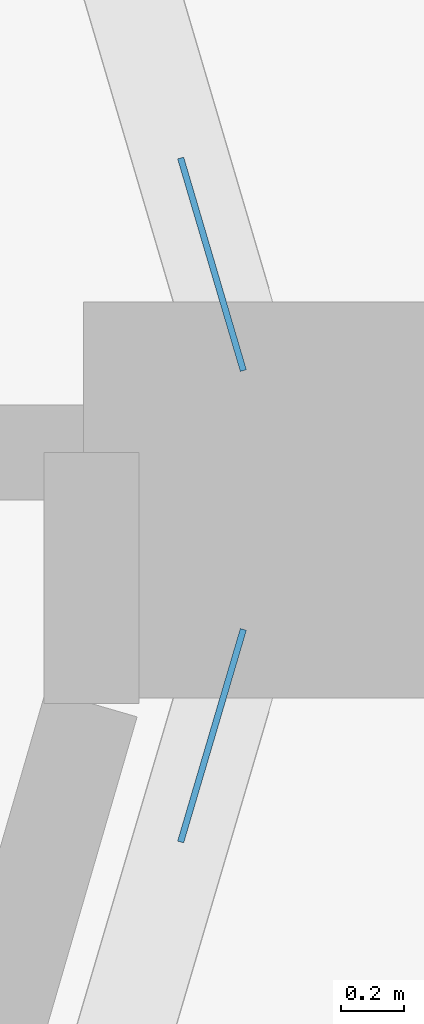
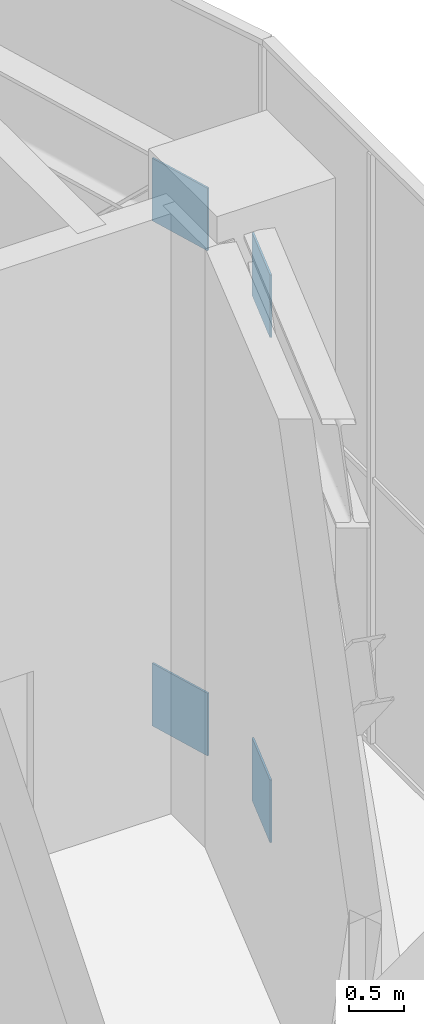
# One storey, part 26 of 35: 4 discrete accessories.
"""IFC4 building model written with IfcOpenShell, lengths in metres."""

from ifc_helpers import new_model, si_unit, direction, frame, origin, origin_2d, place, context, subcontext, project, spatial, rectangle, extrude, material, layer, layer_set, type_object, element, save


model = new_model("IFC4")

# Units and contexts
model_context = context("Model", 3, precision=1e-05, world=origin(), true_north=direction((0.0, 1.0)))
body_context = subcontext(model_context, "Body", "Model", "MODEL_VIEW")
ifc_project = project(units=[si_unit("LENGTHUNIT", "METRE"), si_unit("AREAUNIT", "SQUARE_METRE"), si_unit("VOLUMEUNIT", "CUBIC_METRE"), si_unit("PLANEANGLEUNIT", "RADIAN"), si_unit("MASSUNIT", "GRAM", prefix="KILO")], contexts=[model_context])

# Site, building, storey
site_placement = place(None, origin())
site = spatial("IfcSite", under=ifc_project, at=site_placement, CompositionType="ELEMENT")
building_placement = place(site_placement, origin())
building = spatial("IfcBuilding", under=site, at=building_placement, Name="Ogive Portal Towers", CompositionType="ELEMENT")
storey_placement = place(building_placement, frame((0.0, 0.0, 135.199951171875)))
storey = spatial("IfcBuildingStorey", under=building, at=storey_placement, Name="L33", CompositionType="ELEMENT", Elevation=135.199951171875)

# Discrete accessories
ifc_material = material(Name="Steel S355", Category="steel")
ifc_layer = layer(ifc_material, 0.02001953125)
ifc_layer_set = layer_set([ifc_layer], Name="GUSSET PLATE 700x700x20")
discrete_accessory_type = type_object("IfcDiscreteAccessoryType", Name="GUSSET PLATE 700x700x20", PredefinedType="BRACKET", material=ifc_layer_set)
for number, where, z_axis, x_axis, name in (
    (1, (94.280517578125, 29.755615234375, 5.81982421875), (0.0, 0.0, 1.0), (0.282893935167, 0.959151198428, 0.0), "Gusset plate"),
    (2, (94.280517578125, 29.755615234375, 0.18017578125), (0.0, 0.0, 1.0), (0.282893935167, 0.959151198428, 0.0), "Gusset plate"),
    (3, (94.280517578125, 31.244384765625, 5.81982421875), (0.0, 0.0, 1.0), (-0.282893935167, 0.959151198428, 0.0), "Gusset plate"),
    (4, (94.280517578125, 31.244384765625, 0.18017578125), (0.0, 0.0, 1.0), (-0.282893935167, 0.959151198428, 0.0), "Gusset plate"),
):
    element("IfcDiscreteAccessory", number, at=place(storey_placement, frame(where, z_axis=z_axis, x_axis=x_axis)), inside=storey, type_object=discrete_accessory_type, Name=name, PredefinedType="BRACKET", context=body_context, shape_type="SweptSolid", body=[
        extrude(rectangle(XDim=0.699951171875, YDim=0.02001953125, at=origin_2d()), origin(), (0.0, 0.0, 1.0), 0.699951171875),
    ])

save(model, "model.ifc")
